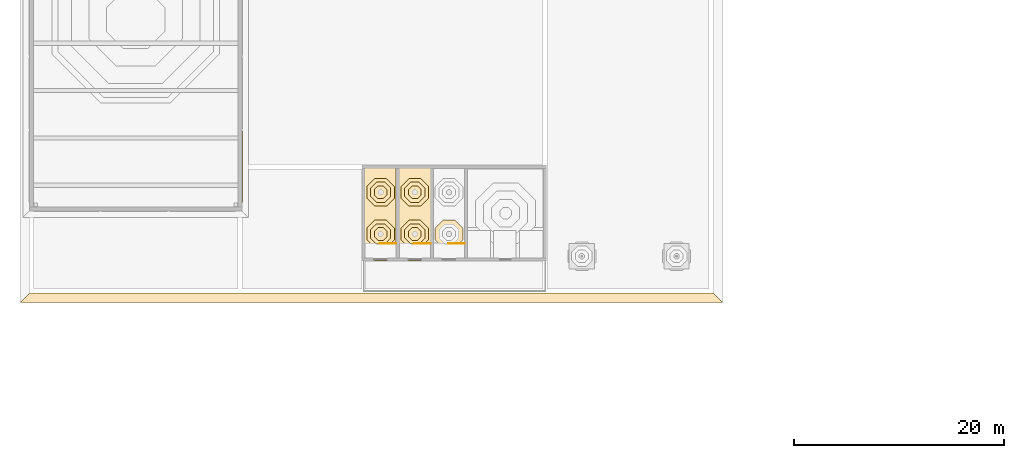
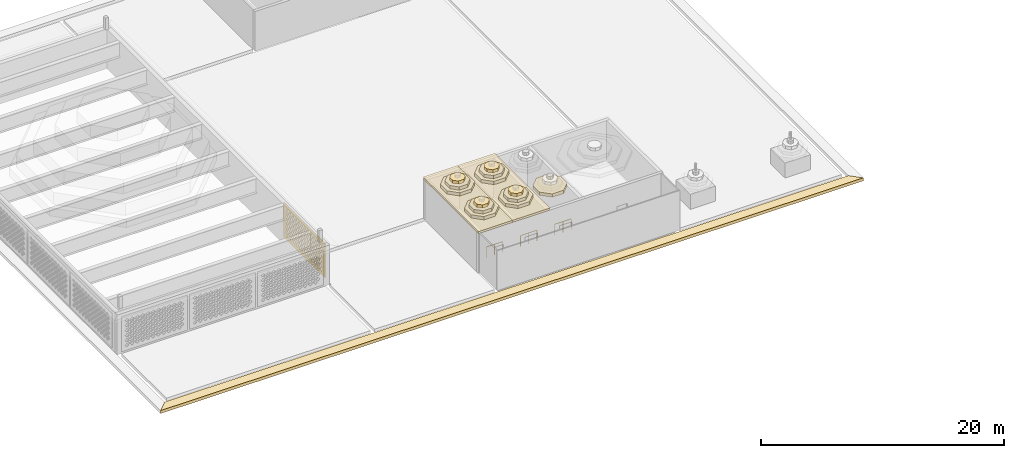
# One storey, part 22 of 63: 17 coverings, 3 railings.
"""IFC4 building model written with IfcOpenShell, lengths in metres."""

from ifc_helpers import new_model, si_unit, direction, frame, origin, origin_2d, place, context, subcontext, project, spatial, polyline, rectangle, outline, extrude, material, layer, layer_set, type_object, element, save


model = new_model("IFC4")

# Units and contexts
model_context = context("Model", 3, precision=1e-05, world=origin(), true_north=direction((0.0, 1.0)))
body_context = subcontext(model_context, "Body", "Model", "MODEL_VIEW")
ifc_project = project(units=[si_unit("LENGTHUNIT", "METRE"), si_unit("AREAUNIT", "SQUARE_METRE"), si_unit("VOLUMEUNIT", "CUBIC_METRE"), si_unit("PLANEANGLEUNIT", "RADIAN"), si_unit("MASSUNIT", "GRAM", prefix="KILO")], contexts=[model_context])

# Site, building, storey
site_placement = place(None, origin())
site = spatial("IfcSite", under=ifc_project, at=site_placement, CompositionType="ELEMENT")
building_placement = place(site_placement, origin())
building = spatial("IfcBuilding", under=site, at=building_placement, Name="Noorbagh Ring Tower", CompositionType="ELEMENT")
storey_placement = place(building_placement, frame((0.0, 0.0, 25.0)))
storey = spatial("IfcBuildingStorey", under=building, at=storey_placement, Name="L04", CompositionType="ELEMENT", Elevation=25.0)

# Coverings
ifc_material_1 = material(Name="Red sandstone jali", Category="masonry")
ifc_layer_1 = layer(ifc_material_1, 0.0400390625)
ifc_layer_set_1 = layer_set([ifc_layer_1], Name="Red sandstone jali")
covering_type_1 = type_object("IfcCoveringType", Name="STH-BAND", PredefinedType="USERDEFINED", material=ifc_layer_set_1)
covering_1_placement = place(storey_placement, frame((-139.760009765625, -12.39990234375, 0.199951171875), z_axis=(1.0, 0.0, 0.0), x_axis=(0.0, 1.0, 0.0)))
element("IfcCovering", 1, at=covering_1_placement, inside=storey, type_object=covering_type_1, Name="Jali band of the stage house", ObjectType="JALI SCREEN", PredefinedType="USERDEFINED", context=body_context, shape_type="SweptSolid", body=[
    extrude(outline(polyline([(0.0, 0.0), (6.7998046875, 0.0), (6.7998046875, 3.5), (0.0, 3.5), (0.0, 0.0)]), holes=[polyline([(0.344970703125, 0.5), (0.52490234375, 0.320068359375), (0.705078125, 0.5), (0.52490234375, 0.679931640625), (0.344970703125, 0.5)]), polyline([(0.844970703125, 0.5), (1.02490234375, 0.320068359375), (1.205078125, 0.5), (1.02490234375, 0.679931640625), (0.844970703125, 0.5)]), polyline([(1.344970703125, 0.5), (1.52490234375, 0.320068359375), (1.705078125, 0.5), (1.52490234375, 0.679931640625), (1.344970703125, 0.5)]), polyline([(1.844970703125, 0.5), (2.02490234375, 0.320068359375), (2.205078125, 0.5), (2.02490234375, 0.679931640625), (1.844970703125, 0.5)]), polyline([(2.344970703125, 0.5), (2.52490234375, 0.320068359375), (2.705078125, 0.5), (2.52490234375, 0.679931640625), (2.344970703125, 0.5)]), polyline([(2.844970703125, 0.5), (3.02490234375, 0.320068359375), (3.205078125, 0.5), (3.02490234375, 0.679931640625), (2.844970703125, 0.5)]), polyline([(3.344970703125, 0.5), (3.52490234375, 0.320068359375), (3.705078125, 0.5), (3.52490234375, 0.679931640625), (3.344970703125, 0.5)]), polyline([(3.844970703125, 0.5), (4.02490234375, 0.320068359375), (4.205078125, 0.5), (4.02490234375, 0.679931640625), (3.844970703125, 0.5)]), polyline([(4.344970703125, 0.5), (4.52490234375, 0.320068359375), (4.705078125, 0.5), (4.52490234375, 0.679931640625), (4.344970703125, 0.5)]), polyline([(4.844970703125, 0.5), (5.02490234375, 0.320068359375), (5.205078125, 0.5), (5.02490234375, 0.679931640625), (4.844970703125, 0.5)]), polyline([(5.344970703125, 0.5), (5.52490234375, 0.320068359375), (5.705078125, 0.5), (5.52490234375, 0.679931640625), (5.344970703125, 0.5)]), polyline([(5.844970703125, 0.5), (6.02490234375, 0.320068359375), (6.205078125, 0.5), (6.02490234375, 0.679931640625), (5.844970703125, 0.5)]), polyline([(0.594970703125, 0.75), (0.77490234375, 0.570068359375), (0.955078125, 0.75), (0.77490234375, 0.929931640625), (0.594970703125, 0.75)]), polyline([(1.094970703125, 0.75), (1.27490234375, 0.570068359375), (1.455078125, 0.75), (1.27490234375, 0.929931640625), (1.094970703125, 0.75)]), polyline([(1.594970703125, 0.75), (1.77490234375, 0.570068359375), (1.955078125, 0.75), (1.77490234375, 0.929931640625), (1.594970703125, 0.75)]), polyline([(2.094970703125, 0.75), (2.27490234375, 0.570068359375), (2.455078125, 0.75), (2.27490234375, 0.929931640625), (2.094970703125, 0.75)]), polyline([(2.594970703125, 0.75), (2.77490234375, 0.570068359375), (2.955078125, 0.75), (2.77490234375, 0.929931640625), (2.594970703125, 0.75)]), polyline([(3.094970703125, 0.75), (3.27490234375, 0.570068359375), (3.455078125, 0.75), (3.27490234375, 0.929931640625), (3.094970703125, 0.75)]), polyline([(3.594970703125, 0.75), (3.77490234375, 0.570068359375), (3.955078125, 0.75), (3.77490234375, 0.929931640625), (3.594970703125, 0.75)]), polyline([(4.094970703125, 0.75), (4.27490234375, 0.570068359375), (4.455078125, 0.75), (4.27490234375, 0.929931640625), (4.094970703125, 0.75)]), polyline([(4.594970703125, 0.75), (4.77490234375, 0.570068359375), (4.955078125, 0.75), (4.77490234375, 0.929931640625), (4.594970703125, 0.75)]), polyline([(5.094970703125, 0.75), (5.27490234375, 0.570068359375), (5.455078125, 0.75), (5.27490234375, 0.929931640625), (5.094970703125, 0.75)]), polyline([(5.594970703125, 0.75), (5.77490234375, 0.570068359375), (5.955078125, 0.75), (5.77490234375, 0.929931640625), (5.594970703125, 0.75)]), polyline([(6.094970703125, 0.75), (6.27490234375, 0.570068359375), (6.455078125, 0.75), (6.27490234375, 0.929931640625), (6.094970703125, 0.75)]), polyline([(0.344970703125, 1.0), (0.52490234375, 0.820068359375), (0.705078125, 1.0), (0.52490234375, 1.179931640625), (0.344970703125, 1.0)]), polyline([(0.844970703125, 1.0), (1.02490234375, 0.820068359375), (1.205078125, 1.0), (1.02490234375, 1.179931640625), (0.844970703125, 1.0)]), polyline([(1.344970703125, 1.0), (1.52490234375, 0.820068359375), (1.705078125, 1.0), (1.52490234375, 1.179931640625), (1.344970703125, 1.0)]), polyline([(1.844970703125, 1.0), (2.02490234375, 0.820068359375), (2.205078125, 1.0), (2.02490234375, 1.179931640625), (1.844970703125, 1.0)]), polyline([(2.344970703125, 1.0), (2.52490234375, 0.820068359375), (2.705078125, 1.0), (2.52490234375, 1.179931640625), (2.344970703125, 1.0)]), polyline([(2.844970703125, 1.0), (3.02490234375, 0.820068359375), (3.205078125, 1.0), (3.02490234375, 1.179931640625), (2.844970703125, 1.0)]), polyline([(3.344970703125, 1.0), (3.52490234375, 0.820068359375), (3.705078125, 1.0), (3.52490234375, 1.179931640625), (3.344970703125, 1.0)]), polyline([(3.844970703125, 1.0), (4.02490234375, 0.820068359375), (4.205078125, 1.0), (4.02490234375, 1.179931640625), (3.844970703125, 1.0)]), polyline([(4.344970703125, 1.0), (4.52490234375, 0.820068359375), (4.705078125, 1.0), (4.52490234375, 1.179931640625), (4.344970703125, 1.0)]), polyline([(4.844970703125, 1.0), (5.02490234375, 0.820068359375), (5.205078125, 1.0), (5.02490234375, 1.179931640625), (4.844970703125, 1.0)]), polyline([(5.344970703125, 1.0), (5.52490234375, 0.820068359375), (5.705078125, 1.0), (5.52490234375, 1.179931640625), (5.344970703125, 1.0)]), polyline([(5.844970703125, 1.0), (6.02490234375, 0.820068359375), (6.205078125, 1.0), (6.02490234375, 1.179931640625), (5.844970703125, 1.0)]), polyline([(0.594970703125, 1.25), (0.77490234375, 1.070068359375), (0.955078125, 1.25), (0.77490234375, 1.429931640625), (0.594970703125, 1.25)]), polyline([(1.094970703125, 1.25), (1.27490234375, 1.070068359375), (1.455078125, 1.25), (1.27490234375, 1.429931640625), (1.094970703125, 1.25)]), polyline([(1.594970703125, 1.25), (1.77490234375, 1.070068359375), (1.955078125, 1.25), (1.77490234375, 1.429931640625), (1.594970703125, 1.25)]), polyline([(2.094970703125, 1.25), (2.27490234375, 1.070068359375), (2.455078125, 1.25), (2.27490234375, 1.429931640625), (2.094970703125, 1.25)]), polyline([(2.594970703125, 1.25), (2.77490234375, 1.070068359375), (2.955078125, 1.25), (2.77490234375, 1.429931640625), (2.594970703125, 1.25)]), polyline([(3.094970703125, 1.25), (3.27490234375, 1.070068359375), (3.455078125, 1.25), (3.27490234375, 1.429931640625), (3.094970703125, 1.25)]), polyline([(3.594970703125, 1.25), (3.77490234375, 1.070068359375), (3.955078125, 1.25), (3.77490234375, 1.429931640625), (3.594970703125, 1.25)]), polyline([(4.094970703125, 1.25), (4.27490234375, 1.070068359375), (4.455078125, 1.25), (4.27490234375, 1.429931640625), (4.094970703125, 1.25)]), polyline([(4.594970703125, 1.25), (4.77490234375, 1.070068359375), (4.955078125, 1.25), (4.77490234375, 1.429931640625), (4.594970703125, 1.25)]), polyline([(5.094970703125, 1.25), (5.27490234375, 1.070068359375), (5.455078125, 1.25), (5.27490234375, 1.429931640625), (5.094970703125, 1.25)]), polyline([(5.594970703125, 1.25), (5.77490234375, 1.070068359375), (5.955078125, 1.25), (5.77490234375, 1.429931640625), (5.594970703125, 1.25)]), polyline([(6.094970703125, 1.25), (6.27490234375, 1.070068359375), (6.455078125, 1.25), (6.27490234375, 1.429931640625), (6.094970703125, 1.25)]), polyline([(0.344970703125, 1.5), (0.52490234375, 1.320068359375), (0.705078125, 1.5), (0.52490234375, 1.679931640625), (0.344970703125, 1.5)]), polyline([(0.844970703125, 1.5), (1.02490234375, 1.320068359375), (1.205078125, 1.5), (1.02490234375, 1.679931640625), (0.844970703125, 1.5)]), polyline([(1.344970703125, 1.5), (1.52490234375, 1.320068359375), (1.705078125, 1.5), (1.52490234375, 1.679931640625), (1.344970703125, 1.5)]), polyline([(1.844970703125, 1.5), (2.02490234375, 1.320068359375), (2.205078125, 1.5), (2.02490234375, 1.679931640625), (1.844970703125, 1.5)]), polyline([(2.344970703125, 1.5), (2.52490234375, 1.320068359375), (2.705078125, 1.5), (2.52490234375, 1.679931640625), (2.344970703125, 1.5)]), polyline([(2.844970703125, 1.5), (3.02490234375, 1.320068359375), (3.205078125, 1.5), (3.02490234375, 1.679931640625), (2.844970703125, 1.5)]), polyline([(3.344970703125, 1.5), (3.52490234375, 1.320068359375), (3.705078125, 1.5), (3.52490234375, 1.679931640625), (3.344970703125, 1.5)]), polyline([(3.844970703125, 1.5), (4.02490234375, 1.320068359375), (4.205078125, 1.5), (4.02490234375, 1.679931640625), (3.844970703125, 1.5)]), polyline([(4.344970703125, 1.5), (4.52490234375, 1.320068359375), (4.705078125, 1.5), (4.52490234375, 1.679931640625), (4.344970703125, 1.5)]), polyline([(4.844970703125, 1.5), (5.02490234375, 1.320068359375), (5.205078125, 1.5), (5.02490234375, 1.679931640625), (4.844970703125, 1.5)]), polyline([(5.344970703125, 1.5), (5.52490234375, 1.320068359375), (5.705078125, 1.5), (5.52490234375, 1.679931640625), (5.344970703125, 1.5)]), polyline([(5.844970703125, 1.5), (6.02490234375, 1.320068359375), (6.205078125, 1.5), (6.02490234375, 1.679931640625), (5.844970703125, 1.5)]), polyline([(0.594970703125, 1.75), (0.77490234375, 1.570068359375), (0.955078125, 1.75), (0.77490234375, 1.929931640625), (0.594970703125, 1.75)]), polyline([(1.094970703125, 1.75), (1.27490234375, 1.570068359375), (1.455078125, 1.75), (1.27490234375, 1.929931640625), (1.094970703125, 1.75)]), polyline([(1.594970703125, 1.75), (1.77490234375, 1.570068359375), (1.955078125, 1.75), (1.77490234375, 1.929931640625), (1.594970703125, 1.75)]), polyline([(2.094970703125, 1.75), (2.27490234375, 1.570068359375), (2.455078125, 1.75), (2.27490234375, 1.929931640625), (2.094970703125, 1.75)]), polyline([(2.594970703125, 1.75), (2.77490234375, 1.570068359375), (2.955078125, 1.75), (2.77490234375, 1.929931640625), (2.594970703125, 1.75)]), polyline([(3.094970703125, 1.75), (3.27490234375, 1.570068359375), (3.455078125, 1.75), (3.27490234375, 1.929931640625), (3.094970703125, 1.75)]), polyline([(3.594970703125, 1.75), (3.77490234375, 1.570068359375), (3.955078125, 1.75), (3.77490234375, 1.929931640625), (3.594970703125, 1.75)]), polyline([(4.094970703125, 1.75), (4.27490234375, 1.570068359375), (4.455078125, 1.75), (4.27490234375, 1.929931640625), (4.094970703125, 1.75)]), polyline([(4.594970703125, 1.75), (4.77490234375, 1.570068359375), (4.955078125, 1.75), (4.77490234375, 1.929931640625), (4.594970703125, 1.75)]), polyline([(5.094970703125, 1.75), (5.27490234375, 1.570068359375), (5.455078125, 1.75), (5.27490234375, 1.929931640625), (5.094970703125, 1.75)]), polyline([(5.594970703125, 1.75), (5.77490234375, 1.570068359375), (5.955078125, 1.75), (5.77490234375, 1.929931640625), (5.594970703125, 1.75)]), polyline([(6.094970703125, 1.75), (6.27490234375, 1.570068359375), (6.455078125, 1.75), (6.27490234375, 1.929931640625), (6.094970703125, 1.75)]), polyline([(0.344970703125, 2.0), (0.52490234375, 1.820068359375), (0.705078125, 2.0), (0.52490234375, 2.179931640625), (0.344970703125, 2.0)]), polyline([(0.844970703125, 2.0), (1.02490234375, 1.820068359375), (1.205078125, 2.0), (1.02490234375, 2.179931640625), (0.844970703125, 2.0)]), polyline([(1.344970703125, 2.0), (1.52490234375, 1.820068359375), (1.705078125, 2.0), (1.52490234375, 2.179931640625), (1.344970703125, 2.0)]), polyline([(1.844970703125, 2.0), (2.02490234375, 1.820068359375), (2.205078125, 2.0), (2.02490234375, 2.179931640625), (1.844970703125, 2.0)]), polyline([(2.344970703125, 2.0), (2.52490234375, 1.820068359375), (2.705078125, 2.0), (2.52490234375, 2.179931640625), (2.344970703125, 2.0)]), polyline([(2.844970703125, 2.0), (3.02490234375, 1.820068359375), (3.205078125, 2.0), (3.02490234375, 2.179931640625), (2.844970703125, 2.0)]), polyline([(3.344970703125, 2.0), (3.52490234375, 1.820068359375), (3.705078125, 2.0), (3.52490234375, 2.179931640625), (3.344970703125, 2.0)]), polyline([(3.844970703125, 2.0), (4.02490234375, 1.820068359375), (4.205078125, 2.0), (4.02490234375, 2.179931640625), (3.844970703125, 2.0)]), polyline([(4.344970703125, 2.0), (4.52490234375, 1.820068359375), (4.705078125, 2.0), (4.52490234375, 2.179931640625), (4.344970703125, 2.0)]), polyline([(4.844970703125, 2.0), (5.02490234375, 1.820068359375), (5.205078125, 2.0), (5.02490234375, 2.179931640625), (4.844970703125, 2.0)]), polyline([(5.344970703125, 2.0), (5.52490234375, 1.820068359375), (5.705078125, 2.0), (5.52490234375, 2.179931640625), (5.344970703125, 2.0)]), polyline([(5.844970703125, 2.0), (6.02490234375, 1.820068359375), (6.205078125, 2.0), (6.02490234375, 2.179931640625), (5.844970703125, 2.0)]), polyline([(0.594970703125, 2.25), (0.77490234375, 2.070068359375), (0.955078125, 2.25), (0.77490234375, 2.429931640625), (0.594970703125, 2.25)]), polyline([(1.094970703125, 2.25), (1.27490234375, 2.070068359375), (1.455078125, 2.25), (1.27490234375, 2.429931640625), (1.094970703125, 2.25)]), polyline([(1.594970703125, 2.25), (1.77490234375, 2.070068359375), (1.955078125, 2.25), (1.77490234375, 2.429931640625), (1.594970703125, 2.25)]), polyline([(2.094970703125, 2.25), (2.27490234375, 2.070068359375), (2.455078125, 2.25), (2.27490234375, 2.429931640625), (2.094970703125, 2.25)]), polyline([(2.594970703125, 2.25), (2.77490234375, 2.070068359375), (2.955078125, 2.25), (2.77490234375, 2.429931640625), (2.594970703125, 2.25)]), polyline([(3.094970703125, 2.25), (3.27490234375, 2.070068359375), (3.455078125, 2.25), (3.27490234375, 2.429931640625), (3.094970703125, 2.25)]), polyline([(3.594970703125, 2.25), (3.77490234375, 2.070068359375), (3.955078125, 2.25), (3.77490234375, 2.429931640625), (3.594970703125, 2.25)]), polyline([(4.094970703125, 2.25), (4.27490234375, 2.070068359375), (4.455078125, 2.25), (4.27490234375, 2.429931640625), (4.094970703125, 2.25)]), polyline([(4.594970703125, 2.25), (4.77490234375, 2.070068359375), (4.955078125, 2.25), (4.77490234375, 2.429931640625), (4.594970703125, 2.25)]), polyline([(5.094970703125, 2.25), (5.27490234375, 2.070068359375), (5.455078125, 2.25), (5.27490234375, 2.429931640625), (5.094970703125, 2.25)]), polyline([(5.594970703125, 2.25), (5.77490234375, 2.070068359375), (5.955078125, 2.25), (5.77490234375, 2.429931640625), (5.594970703125, 2.25)]), polyline([(6.094970703125, 2.25), (6.27490234375, 2.070068359375), (6.455078125, 2.25), (6.27490234375, 2.429931640625), (6.094970703125, 2.25)]), polyline([(0.344970703125, 2.5), (0.52490234375, 2.320068359375), (0.705078125, 2.5), (0.52490234375, 2.679931640625), (0.344970703125, 2.5)]), polyline([(0.844970703125, 2.5), (1.02490234375, 2.320068359375), (1.205078125, 2.5), (1.02490234375, 2.679931640625), (0.844970703125, 2.5)]), polyline([(1.344970703125, 2.5), (1.52490234375, 2.320068359375), (1.705078125, 2.5), (1.52490234375, 2.679931640625), (1.344970703125, 2.5)]), polyline([(1.844970703125, 2.5), (2.02490234375, 2.320068359375), (2.205078125, 2.5), (2.02490234375, 2.679931640625), (1.844970703125, 2.5)]), polyline([(2.344970703125, 2.5), (2.52490234375, 2.320068359375), (2.705078125, 2.5), (2.52490234375, 2.679931640625), (2.344970703125, 2.5)]), polyline([(2.844970703125, 2.5), (3.02490234375, 2.320068359375), (3.205078125, 2.5), (3.02490234375, 2.679931640625), (2.844970703125, 2.5)]), polyline([(3.344970703125, 2.5), (3.52490234375, 2.320068359375), (3.705078125, 2.5), (3.52490234375, 2.679931640625), (3.344970703125, 2.5)]), polyline([(3.844970703125, 2.5), (4.02490234375, 2.320068359375), (4.205078125, 2.5), (4.02490234375, 2.679931640625), (3.844970703125, 2.5)]), polyline([(4.344970703125, 2.5), (4.52490234375, 2.320068359375), (4.705078125, 2.5), (4.52490234375, 2.679931640625), (4.344970703125, 2.5)]), polyline([(4.844970703125, 2.5), (5.02490234375, 2.320068359375), (5.205078125, 2.5), (5.02490234375, 2.679931640625), (4.844970703125, 2.5)]), polyline([(5.344970703125, 2.5), (5.52490234375, 2.320068359375), (5.705078125, 2.5), (5.52490234375, 2.679931640625), (5.344970703125, 2.5)]), polyline([(5.844970703125, 2.5), (6.02490234375, 2.320068359375), (6.205078125, 2.5), (6.02490234375, 2.679931640625), (5.844970703125, 2.5)]), polyline([(0.594970703125, 2.75), (0.77490234375, 2.570068359375), (0.955078125, 2.75), (0.77490234375, 2.929931640625), (0.594970703125, 2.75)]), polyline([(1.094970703125, 2.75), (1.27490234375, 2.570068359375), (1.455078125, 2.75), (1.27490234375, 2.929931640625), (1.094970703125, 2.75)]), polyline([(1.594970703125, 2.75), (1.77490234375, 2.570068359375), (1.955078125, 2.75), (1.77490234375, 2.929931640625), (1.594970703125, 2.75)]), polyline([(2.094970703125, 2.75), (2.27490234375, 2.570068359375), (2.455078125, 2.75), (2.27490234375, 2.929931640625), (2.094970703125, 2.75)]), polyline([(2.594970703125, 2.75), (2.77490234375, 2.570068359375), (2.955078125, 2.75), (2.77490234375, 2.929931640625), (2.594970703125, 2.75)]), polyline([(3.094970703125, 2.75), (3.27490234375, 2.570068359375), (3.455078125, 2.75), (3.27490234375, 2.929931640625), (3.094970703125, 2.75)]), polyline([(3.594970703125, 2.75), (3.77490234375, 2.570068359375), (3.955078125, 2.75), (3.77490234375, 2.929931640625), (3.594970703125, 2.75)]), polyline([(4.094970703125, 2.75), (4.27490234375, 2.570068359375), (4.455078125, 2.75), (4.27490234375, 2.929931640625), (4.094970703125, 2.75)]), polyline([(4.594970703125, 2.75), (4.77490234375, 2.570068359375), (4.955078125, 2.75), (4.77490234375, 2.929931640625), (4.594970703125, 2.75)]), polyline([(5.094970703125, 2.75), (5.27490234375, 2.570068359375), (5.455078125, 2.75), (5.27490234375, 2.929931640625), (5.094970703125, 2.75)]), polyline([(5.594970703125, 2.75), (5.77490234375, 2.570068359375), (5.955078125, 2.75), (5.77490234375, 2.929931640625), (5.594970703125, 2.75)]), polyline([(6.094970703125, 2.75), (6.27490234375, 2.570068359375), (6.455078125, 2.75), (6.27490234375, 2.929931640625), (6.094970703125, 2.75)]), polyline([(0.344970703125, 3.0), (0.52490234375, 2.820068359375), (0.705078125, 3.0), (0.52490234375, 3.179931640625), (0.344970703125, 3.0)]), polyline([(0.844970703125, 3.0), (1.02490234375, 2.820068359375), (1.205078125, 3.0), (1.02490234375, 3.179931640625), (0.844970703125, 3.0)]), polyline([(1.344970703125, 3.0), (1.52490234375, 2.820068359375), (1.705078125, 3.0), (1.52490234375, 3.179931640625), (1.344970703125, 3.0)]), polyline([(1.844970703125, 3.0), (2.02490234375, 2.820068359375), (2.205078125, 3.0), (2.02490234375, 3.179931640625), (1.844970703125, 3.0)]), polyline([(2.344970703125, 3.0), (2.52490234375, 2.820068359375), (2.705078125, 3.0), (2.52490234375, 3.179931640625), (2.344970703125, 3.0)]), polyline([(2.844970703125, 3.0), (3.02490234375, 2.820068359375), (3.205078125, 3.0), (3.02490234375, 3.179931640625), (2.844970703125, 3.0)]), polyline([(3.344970703125, 3.0), (3.52490234375, 2.820068359375), (3.705078125, 3.0), (3.52490234375, 3.179931640625), (3.344970703125, 3.0)]), polyline([(3.844970703125, 3.0), (4.02490234375, 2.820068359375), (4.205078125, 3.0), (4.02490234375, 3.179931640625), (3.844970703125, 3.0)]), polyline([(4.344970703125, 3.0), (4.52490234375, 2.820068359375), (4.705078125, 3.0), (4.52490234375, 3.179931640625), (4.344970703125, 3.0)]), polyline([(4.844970703125, 3.0), (5.02490234375, 2.820068359375), (5.205078125, 3.0), (5.02490234375, 3.179931640625), (4.844970703125, 3.0)]), polyline([(5.344970703125, 3.0), (5.52490234375, 2.820068359375), (5.705078125, 3.0), (5.52490234375, 3.179931640625), (5.344970703125, 3.0)]), polyline([(5.844970703125, 3.0), (6.02490234375, 2.820068359375), (6.205078125, 3.0), (6.02490234375, 3.179931640625), (5.844970703125, 3.0)])]), origin(), (0.0, 0.0, -1.0), 0.0400390625),
])
ifc_material_2 = material(Name="Cream sandstone dome cladding", Category="masonry")
ifc_layer_2 = layer(ifc_material_2, 0.199951171875)
ifc_layer_set_2 = layer_set([ifc_layer_2], Name="Cream sandstone dome cladding")
covering_type_2 = type_object("IfcCoveringType", Name="STH-CAP", PredefinedType="ROOFING", material=ifc_layer_set_2)
covering_2_placement = place(storey_placement, frame((0.0, 0.0, 4.0)))
element("IfcCovering", 2, at=covering_2_placement, inside=storey, type_object=covering_type_2, Name="Roof of the stair head", PredefinedType="ROOFING", context=body_context, shape_type="SweptSolid", body=[
    extrude(outline(polyline([(-128.39990234375, -17.949951171875), (-124.85009765625, -17.949951171875), (-124.85009765625, -8.85009765625), (-128.39990234375, -8.85009765625), (-128.39990234375, -17.949951171875)])), origin(), (0.0, 0.0, 1.0), 0.199951171875),
])
covering_3_placement = place(storey_placement, frame((0.0, 0.0, 4.0)))
element("IfcCovering", 3, at=covering_3_placement, inside=storey, type_object=covering_type_2, Name="Roof of the stair head", PredefinedType="ROOFING", context=body_context, shape_type="SweptSolid", body=[
    extrude(outline(polyline([(-125.14990234375, -17.949951171875), (-121.60009765625, -17.949951171875), (-121.60009765625, -8.85009765625), (-125.14990234375, -8.85009765625), (-125.14990234375, -17.949951171875)])), origin(), (0.0, 0.0, 1.0), 0.199951171875),
])
ifc_material_3 = material(Name="Red sandstone eave", Category="masonry")
covering_type_3 = type_object("IfcCoveringType", Name="STH-CHHAJJA", PredefinedType="USERDEFINED", material=ifc_material_3)
covering_4_placement = place(storey_placement, frame((0.0, 0.0, -0.300048828125)))
element("IfcCovering", 4, at=covering_4_placement, inside=storey, type_object=covering_type_3, Name="Chhajja eave at the roof edge", ObjectType="CHHAJJA", PredefinedType="USERDEFINED", context=body_context, shape_type="SweptSolid", body=[
    extrude(outline(polyline([(-160.0, -21.0), (-95.0, -21.0), (-94.10009765625, -21.89990234375), (-160.89990234375, -21.89990234375), (-160.0, -21.0)])), origin(), (0.0, 0.0, 1.0), 0.300048828125),
])
ifc_material_4 = material(Name="Cream sandstone dome cladding", Category="masonry")
ifc_layer_3 = layer(ifc_material_4, 0.300048828125)
ifc_layer_set_3 = layer_set([ifc_layer_3], Name="Cream sandstone dome cladding")
covering_type_4 = type_object("IfcCoveringType", Name="STH-DOME", PredefinedType="ROOFING", material=ifc_layer_set_3)
covering_5_placement = place(storey_placement, frame((0.0, 0.0, 4.199951171875)))
element("IfcCovering", 5, at=covering_5_placement, inside=storey, type_object=covering_type_4, Name="Dome over the stair head", PredefinedType="ROOFING", context=body_context, shape_type="SweptSolid", body=[
    extrude(outline(polyline([(-125.30859375, -14.834716796875), (-126.07958984375, -14.0634765625), (-127.17041015625, -14.0634765625), (-127.94140625, -14.834716796875), (-127.94140625, -15.92529296875), (-127.17041015625, -16.696533203125), (-126.07958984375, -16.696533203125), (-125.30859375, -15.92529296875), (-125.30859375, -14.834716796875)])), origin(), (0.0, 0.0, 1.0), 0.320068359375),
])
covering_6_placement = place(storey_placement, frame((0.0, 0.0, 4.52001953125)))
element("IfcCovering", 6, at=covering_6_placement, inside=storey, type_object=covering_type_4, Name="Dome over the stair head", PredefinedType="ROOFING", context=body_context, shape_type="SweptSolid", body=[
    extrude(outline(polyline([(-125.663818359375, -14.98193359375), (-126.226806640625, -14.4189453125), (-127.023193359375, -14.4189453125), (-127.586181640625, -14.98193359375), (-127.586181640625, -15.778076171875), (-127.023193359375, -16.341064453125), (-126.226806640625, -16.341064453125), (-125.663818359375, -15.778076171875), (-125.663818359375, -14.98193359375)])), origin(), (0.0, 0.0, 1.0), 0.320068359375),
])
covering_7_placement = place(storey_placement, frame((0.0, 0.0, 4.840087890625)))
element("IfcCovering", 7, at=covering_7_placement, inside=storey, type_object=covering_type_4, Name="Dome over the stair head", PredefinedType="ROOFING", context=body_context, shape_type="SweptSolid", body=[
    extrude(outline(polyline([(-126.019287109375, -15.129150390625), (-126.374267578125, -14.7744140625), (-126.875732421875, -14.7744140625), (-127.230712890625, -15.129150390625), (-127.230712890625, -15.630859375), (-126.875732421875, -15.985595703125), (-126.374267578125, -15.985595703125), (-126.019287109375, -15.630859375), (-126.019287109375, -15.129150390625)])), origin(), (0.0, 0.0, 1.0), 0.31982421875),
])
covering_8_placement = place(storey_placement, frame((0.0, 0.0, 4.199951171875)))
element("IfcCovering", 8, at=covering_8_placement, inside=storey, type_object=covering_type_4, Name="Dome over the stair head", PredefinedType="ROOFING", context=body_context, shape_type="SweptSolid", body=[
    extrude(outline(polyline([(-125.30859375, -10.874755859375), (-126.07958984375, -10.103515625), (-127.17041015625, -10.103515625), (-127.94140625, -10.874755859375), (-127.94140625, -11.96533203125), (-127.17041015625, -12.736572265625), (-126.07958984375, -12.736572265625), (-125.30859375, -11.96533203125), (-125.30859375, -10.874755859375)])), origin(), (0.0, 0.0, 1.0), 0.320068359375),
])
covering_9_placement = place(storey_placement, frame((0.0, 0.0, 4.52001953125)))
element("IfcCovering", 9, at=covering_9_placement, inside=storey, type_object=covering_type_4, Name="Dome over the stair head", PredefinedType="ROOFING", context=body_context, shape_type="SweptSolid", body=[
    extrude(outline(polyline([(-125.663818359375, -11.02197265625), (-126.226806640625, -10.458984375), (-127.023193359375, -10.458984375), (-127.586181640625, -11.02197265625), (-127.586181640625, -11.818115234375), (-127.023193359375, -12.381103515625), (-126.226806640625, -12.381103515625), (-125.663818359375, -11.818115234375), (-125.663818359375, -11.02197265625)])), origin(), (0.0, 0.0, 1.0), 0.320068359375),
])
covering_10_placement = place(storey_placement, frame((0.0, 0.0, 4.840087890625)))
element("IfcCovering", 10, at=covering_10_placement, inside=storey, type_object=covering_type_4, Name="Dome over the stair head", PredefinedType="ROOFING", context=body_context, shape_type="SweptSolid", body=[
    extrude(outline(polyline([(-126.019287109375, -11.169189453125), (-126.374267578125, -10.814453125), (-126.875732421875, -10.814453125), (-127.230712890625, -11.169189453125), (-127.230712890625, -11.6708984375), (-126.875732421875, -12.025634765625), (-126.374267578125, -12.025634765625), (-126.019287109375, -11.6708984375), (-126.019287109375, -11.169189453125)])), origin(), (0.0, 0.0, 1.0), 0.31982421875),
])
covering_11_placement = place(storey_placement, frame((0.0, 0.0, 4.199951171875)))
element("IfcCovering", 11, at=covering_11_placement, inside=storey, type_object=covering_type_4, Name="Dome over the stair head", PredefinedType="ROOFING", context=body_context, shape_type="SweptSolid", body=[
    extrude(outline(polyline([(-122.05859375, -14.834716796875), (-122.82958984375, -14.0634765625), (-123.92041015625, -14.0634765625), (-124.69140625, -14.834716796875), (-124.69140625, -15.92529296875), (-123.92041015625, -16.696533203125), (-122.82958984375, -16.696533203125), (-122.05859375, -15.92529296875), (-122.05859375, -14.834716796875)])), origin(), (0.0, 0.0, 1.0), 0.320068359375),
])
covering_12_placement = place(storey_placement, frame((0.0, 0.0, 4.52001953125)))
element("IfcCovering", 12, at=covering_12_placement, inside=storey, type_object=covering_type_4, Name="Dome over the stair head", PredefinedType="ROOFING", context=body_context, shape_type="SweptSolid", body=[
    extrude(outline(polyline([(-122.413818359375, -14.98193359375), (-122.976806640625, -14.4189453125), (-123.773193359375, -14.4189453125), (-124.336181640625, -14.98193359375), (-124.336181640625, -15.778076171875), (-123.773193359375, -16.341064453125), (-122.976806640625, -16.341064453125), (-122.413818359375, -15.778076171875), (-122.413818359375, -14.98193359375)])), origin(), (0.0, 0.0, 1.0), 0.320068359375),
])
covering_13_placement = place(storey_placement, frame((0.0, 0.0, 4.840087890625)))
element("IfcCovering", 13, at=covering_13_placement, inside=storey, type_object=covering_type_4, Name="Dome over the stair head", PredefinedType="ROOFING", context=body_context, shape_type="SweptSolid", body=[
    extrude(outline(polyline([(-122.769287109375, -15.129150390625), (-123.124267578125, -14.7744140625), (-123.625732421875, -14.7744140625), (-123.980712890625, -15.129150390625), (-123.980712890625, -15.630859375), (-123.625732421875, -15.985595703125), (-123.124267578125, -15.985595703125), (-122.769287109375, -15.630859375), (-122.769287109375, -15.129150390625)])), origin(), (0.0, 0.0, 1.0), 0.31982421875),
])
covering_14_placement = place(storey_placement, frame((0.0, 0.0, 4.199951171875)))
element("IfcCovering", 14, at=covering_14_placement, inside=storey, type_object=covering_type_4, Name="Dome over the stair head", PredefinedType="ROOFING", context=body_context, shape_type="SweptSolid", body=[
    extrude(outline(polyline([(-122.05859375, -10.874755859375), (-122.82958984375, -10.103515625), (-123.92041015625, -10.103515625), (-124.69140625, -10.874755859375), (-124.69140625, -11.96533203125), (-123.92041015625, -12.736572265625), (-122.82958984375, -12.736572265625), (-122.05859375, -11.96533203125), (-122.05859375, -10.874755859375)])), origin(), (0.0, 0.0, 1.0), 0.320068359375),
])
covering_15_placement = place(storey_placement, frame((0.0, 0.0, 4.52001953125)))
element("IfcCovering", 15, at=covering_15_placement, inside=storey, type_object=covering_type_4, Name="Dome over the stair head", PredefinedType="ROOFING", context=body_context, shape_type="SweptSolid", body=[
    extrude(outline(polyline([(-122.413818359375, -11.02197265625), (-122.976806640625, -10.458984375), (-123.773193359375, -10.458984375), (-124.336181640625, -11.02197265625), (-124.336181640625, -11.818115234375), (-123.773193359375, -12.381103515625), (-122.976806640625, -12.381103515625), (-122.413818359375, -11.818115234375), (-122.413818359375, -11.02197265625)])), origin(), (0.0, 0.0, 1.0), 0.320068359375),
])
covering_16_placement = place(storey_placement, frame((0.0, 0.0, 4.840087890625)))
element("IfcCovering", 16, at=covering_16_placement, inside=storey, type_object=covering_type_4, Name="Dome over the stair head", PredefinedType="ROOFING", context=body_context, shape_type="SweptSolid", body=[
    extrude(outline(polyline([(-122.769287109375, -11.169189453125), (-123.124267578125, -10.814453125), (-123.625732421875, -10.814453125), (-123.980712890625, -11.169189453125), (-123.980712890625, -11.6708984375), (-123.625732421875, -12.025634765625), (-123.124267578125, -12.025634765625), (-122.769287109375, -11.6708984375), (-122.769287109375, -11.169189453125)])), origin(), (0.0, 0.0, 1.0), 0.31982421875),
])
covering_17_placement = place(storey_placement, frame((0.0, 0.0, 4.199951171875)))
element("IfcCovering", 17, at=covering_17_placement, inside=storey, type_object=covering_type_4, Name="Dome over the stair head", PredefinedType="ROOFING", context=body_context, shape_type="SweptSolid", body=[
    extrude(outline(polyline([(-118.80859375, -14.834716796875), (-119.57958984375, -14.0634765625), (-120.67041015625, -14.0634765625), (-121.44140625, -14.834716796875), (-121.44140625, -15.92529296875), (-120.67041015625, -16.696533203125), (-119.57958984375, -16.696533203125), (-118.80859375, -15.92529296875), (-118.80859375, -14.834716796875)])), origin(), (0.0, 0.0, 1.0), 0.320068359375),
])

# Railings
ifc_material_5 = material(Name="Stainless steel", Category="steel")
railing_type = type_object("IfcRailingType", Name="TH-STAIR-GUARD", PredefinedType="GUARDRAIL", material=ifc_material_5)
for number, where, name in (
    (18, (-121.89990234375, -16.300048828125, 0.0), "L04 TSS1 top well guard 1"),
    (19, (-118.64990234375, -16.300048828125, 0.0), "L04 TSS2 top well guard 1"),
    (20, (-125.14990234375, -16.300048828125, 0.0), "L04 TSS3 top well guard 1"),
):
    element("IfcRailing", number, at=place(storey_placement, frame(where)), inside=storey, type_object=railing_type, Name=name, PredefinedType="GUARDRAIL", context=body_context, shape_type="SweptSolid", body=[
        extrude(rectangle(XDim=0.048095703125, YDim=0.048095703125, at=origin_2d()), frame((0.0, 0.0, 1.076171875), z_axis=(-1.0, 0.0, 0.0), x_axis=(0.0, -1.0, 0.0)), (0.0, 0.0, 1.0), 1.550048828125),
        extrude(rectangle(XDim=0.0419921875, YDim=0.0419921875, at=origin_2d()), origin(), (0.0, 0.0, 1.0), 1.052001953125),
        extrude(rectangle(XDim=0.0419921875, YDim=0.0419921875, at=origin_2d()), frame((-0.77490234375, 0.0, 0.0)), (0.0, 0.0, 1.0), 1.052001953125),
        extrude(rectangle(XDim=0.0419921875, YDim=0.0419921875, at=origin_2d()), frame((-1.550048828125, 0.0, 0.0)), (0.0, 0.0, 1.0), 1.052001953125),
    ])

save(model, "model.ifc")
